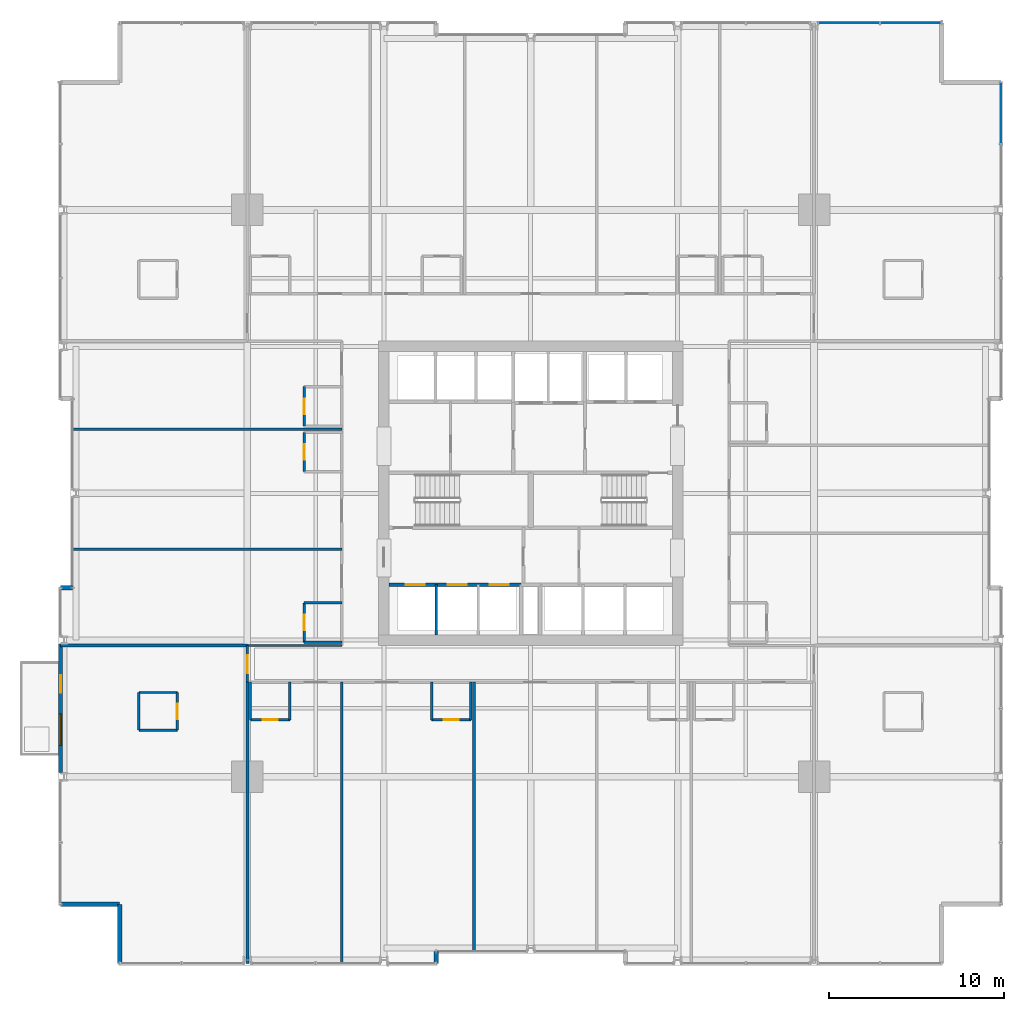
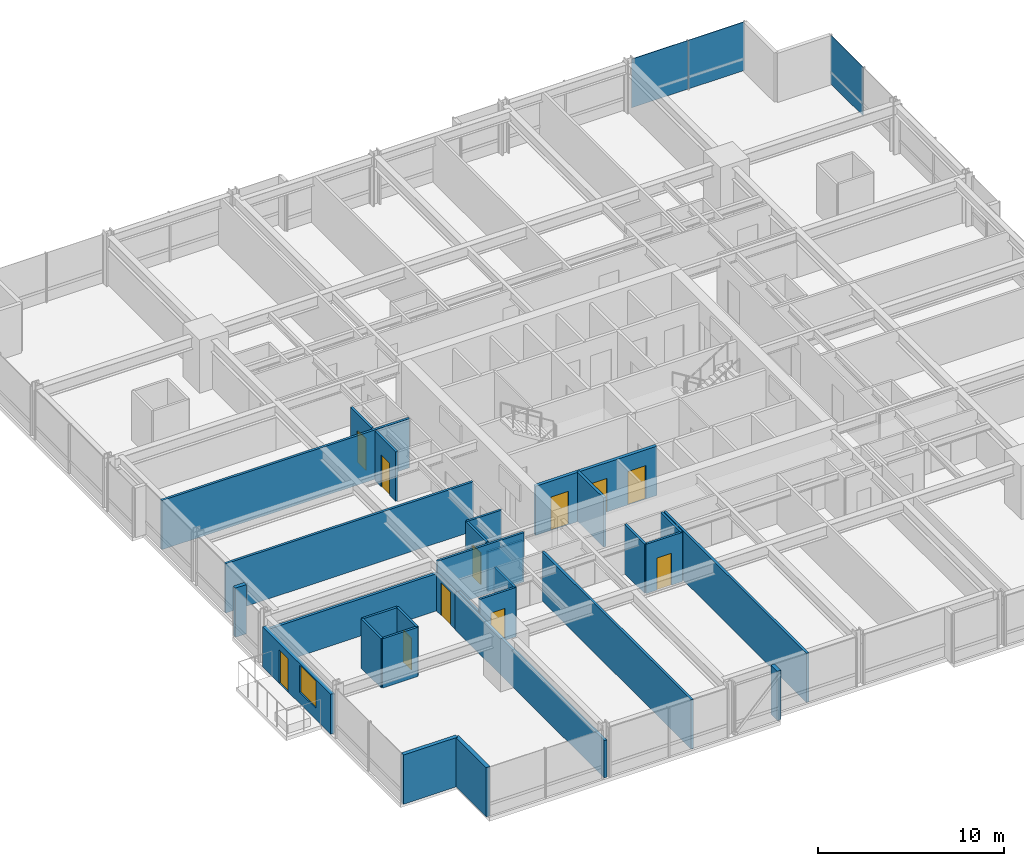
# One storey, part 30 of 38: 30 walls, 11 doors, 3 plates, 1 window, 12 openings, 2 elements without a shape of their own.
"""IFC4 building model written with IfcOpenShell, lengths in metres."""

from ifc_helpers import new_model, si_unit, direction, frame, frame_2d, origin, origin_2d, place, context, subcontext, project, spatial, rectangle, extrude, material, layer, layer_set, type_object, element, fill, aggregate, save


model = new_model("IFC4")

# Units and contexts
model_context = context("Model", 3, precision=1e-05, world=origin(), true_north=direction((0.0, 1.0)))
body_context = subcontext(model_context, "Body", "Model", "MODEL_VIEW")
ifc_project = project(units=[si_unit("LENGTHUNIT", "METRE"), si_unit("AREAUNIT", "SQUARE_METRE"), si_unit("VOLUMEUNIT", "CUBIC_METRE"), si_unit("PLANEANGLEUNIT", "RADIAN"), si_unit("MASSUNIT", "GRAM", prefix="KILO")], contexts=[model_context])

# Site, building, storey
site_placement = place(None, origin())
site = spatial("IfcSite", under=ifc_project, at=site_placement, CompositionType="ELEMENT")
building_placement = place(site_placement, origin())
building = spatial("IfcBuilding", under=site, at=building_placement, Name="Drelvath Grand Hotel", CompositionType="ELEMENT")
storey_placement = place(building_placement, frame((0.0, 0.0, 61.199951171875)))
storey = spatial("IfcBuildingStorey", under=building, at=storey_placement, Name="L14", CompositionType="ELEMENT", Elevation=61.199951171875)

# Curtain wall, plate
ifc_material_1 = material(Name="Warm Bronze Anodised Aluminium Frame", Category="aluminium")
ifc_layer_1 = layer(ifc_material_1, 0.199951171875)
ifc_layer_set_1 = layer_set([ifc_layer_1], Name="Warm Bronze Anodised Aluminium Frame")
curtain_wall_type = type_object("IfcCurtainWallType", Name="Stick Curtain Wall CW-02 Warm Bronze Low-Rise", PredefinedType="NOTDEFINED", material=ifc_layer_set_1)
curtain_wall_1_placement = place(storey_placement, origin())
curtain_wall_1 = element("IfcCurtainWall", 1, at=curtain_wall_1_placement, inside=storey, type_object=curtain_wall_type, Name="L14 CW-02 Curtain Wall CW02-L14-EN3", PredefinedType="NOTDEFINED")
ifc_material_2 = material(Name="Low-E Triple Silver Vision Glass Bronze Tint", Category="glass")
ifc_layer_2 = layer(ifc_material_2, 0.035888671875)
ifc_layer_set_2 = layer_set([ifc_layer_2], Name="Low-E Triple Silver Vision Glass Bronze Tint")
plate_type = type_object("IfcPlateType", Name="Curtain Wall Vision Panel CW-02 36mm", PredefinedType="CURTAIN_PANEL", material=ifc_layer_set_2)
plate_1_placement = place(storey_placement, frame((26.8798828125, 48.732421875, 0.02001953125), z_axis=(0.0, 0.0, 1.0), x_axis=(0.0, -1.0, 0.0)))
plate_1 = element("IfcPlate", 2, at=plate_1_placement, type_object=plate_type, Name="CW02-L14-EN3 Glazed Panel 1", PredefinedType="CURTAIN_PANEL", context=body_context, shape_type="SweptSolid", body=[
    extrude(rectangle(XDim=3.49560546875, YDim=0.035888671875, at=origin_2d()), origin(), (0.0, 0.0, 1.0), 3.199951171875),
])
aggregate(curtain_wall_1, [plate_1])

# Curtain wall, plates
curtain_wall_2_placement = place(storey_placement, origin())
curtain_wall_2 = element("IfcCurtainWall", 3, at=curtain_wall_2_placement, inside=storey, type_object=curtain_wall_type, Name="L14 CW-02 Curtain Wall CW02-L14-NE3", PredefinedType="NOTDEFINED")
plate_2_placement = place(storey_placement, frame((18.19677734375, 53.8798828125, 0.02001953125), z_axis=(0.0, 0.0, 1.0), x_axis=(1.0, 0.0, 0.0)))
plate_2 = element("IfcPlate", 4, at=plate_2_placement, type_object=plate_type, Name="CW02-L14-NE3 Glazed Panel 1", PredefinedType="CURTAIN_PANEL", context=body_context, shape_type="SweptSolid", body=[
    extrude(rectangle(XDim=3.49560546875, YDim=0.035888671875, at=origin_2d()), origin(), (0.0, 0.0, 1.0), 3.199951171875),
])
plate_3_placement = place(storey_placement, frame((21.732421875, 53.8798828125, 0.02001953125), z_axis=(0.0, 0.0, 1.0), x_axis=(1.0, 0.0, 0.0)))
plate_3 = element("IfcPlate", 5, at=plate_3_placement, type_object=plate_type, Name="CW02-L14-NE3 Glazed Panel 2", PredefinedType="CURTAIN_PANEL", context=body_context, shape_type="SweptSolid", body=[
    extrude(rectangle(XDim=3.49560546875, YDim=0.035888671875, at=origin_2d()), origin(), (0.0, 0.0, 1.0), 3.199951171875),
])
aggregate(curtain_wall_2, [plate_2, plate_3])

# Wall, openings, doors
ifc_material_3 = material(Name="Concrete C40/50", Category="concrete")
ifc_layer_3 = layer(ifc_material_3, 0.199951171875)
ifc_layer_set_3 = layer_set([ifc_layer_3], Name="Concrete C40/50")
wall_type_1 = type_object("IfcWallType", Name="Core Hoistway Fire Wall 200", PredefinedType="SOLIDWALL", material=ifc_layer_set_3)
wall_1_placement = place(storey_placement, frame((-0.550048828125, 21.780029296875, 0.0), z_axis=(0.0, 0.0, 1.0), x_axis=(-1.0, 0.0, 0.0)))
wall_1 = element("IfcWall", 6, at=wall_1_placement, inside=storey, type_object=wall_type_1, Name="L14 Bank 1 Hoistway Wall", PredefinedType="SOLIDWALL", context=body_context, shape_type="SweptSolid", body=[
    extrude(rectangle(XDim=7.550048828125, YDim=0.199951171875, at=frame_2d((3.77490234375, 0.0))), origin(), (0.0, 0.0, 1.0), 3.239990234375),
])
opening_1_placement = place(wall_1_placement, frame((5.5, 0.0, 0.0)))
opening_1 = element("IfcOpeningElement", 7, at=opening_1_placement, cuts=wall_1, Name="Opening LD-PE-1", PredefinedType="OPENING", context=body_context, shape_type="SweptSolid", body=[
    extrude(rectangle(XDim=1.10009765625, YDim=2.199951171875, at=frame_2d((0.550048828125, 1.10009765625))), frame((0.0, 0.10986328125, 0.0), z_axis=(0.0, -1.0, 0.0), x_axis=(1.0, 0.0, 0.0)), (0.0, 0.0, 1.0), 0.219970703125),
])
opening_2_placement = place(wall_1_placement, frame((3.10009765625, 0.0, 0.0)))
opening_2 = element("IfcOpeningElement", 8, at=opening_2_placement, cuts=wall_1, Name="Opening LD-PE-2", PredefinedType="OPENING", context=body_context, shape_type="SweptSolid", body=[
    extrude(rectangle(XDim=1.10009765625, YDim=2.199951171875, at=frame_2d((0.550048828125, 1.10009765625))), frame((0.0, 0.10986328125, 0.0), z_axis=(0.0, -1.0, 0.0), x_axis=(1.0, 0.0, 0.0)), (0.0, 0.0, 1.0), 0.219970703125),
])
opening_3_placement = place(wall_1_placement, frame((0.699951171875, 0.0, 0.0)))
opening_3 = element("IfcOpeningElement", 9, at=opening_3_placement, cuts=wall_1, Name="Opening LD-PE-3", PredefinedType="OPENING", context=body_context, shape_type="SweptSolid", body=[
    extrude(rectangle(XDim=1.10009765625, YDim=2.199951171875, at=frame_2d((0.550048828125, 1.10009765625))), frame((0.0, 0.10986328125, 0.0), z_axis=(0.0, -1.0, 0.0), x_axis=(1.0, 0.0, 0.0)), (0.0, 0.0, 1.0), 0.219970703125),
])
ifc_material_4 = material(Name="Stainless Steel S355", Category="steel")
door_type_1 = type_object("IfcDoorType", Name="Passenger Lift Sliding Landing Door 1100x2200", OperationType="NOTDEFINED", PredefinedType="DOOR", material=ifc_material_4)
door_1_placement = place(opening_1_placement, origin())
door_1 = element("IfcDoor", 10, at=door_1_placement, inside=storey, type_object=door_type_1, Name="L14 Lift PE-1 Landing Door", OperationType="SLIDING_TO_LEFT", OverallHeight=2.199951171875, OverallWidth=1.10009765625, PredefinedType="DOOR", context=body_context, shape_type="SweptSolid", body=[
    extrude(rectangle(XDim=1.10009765625, YDim=2.199951171875, at=frame_2d((0.550048828125, 1.10009765625))), frame((0.0, 0.02490234375, 0.0), z_axis=(0.0, -1.0, 0.0), x_axis=(1.0, 0.0, 0.0)), (0.0, 0.0, 1.0), 0.050048828125),
])
fill(opening_1, door_1)
door_2_placement = place(opening_2_placement, origin())
door_2 = element("IfcDoor", 11, at=door_2_placement, inside=storey, type_object=door_type_1, Name="L14 Lift PE-2 Landing Door", OperationType="SLIDING_TO_LEFT", OverallHeight=2.199951171875, OverallWidth=1.10009765625, PredefinedType="DOOR", context=body_context, shape_type="SweptSolid", body=[
    extrude(rectangle(XDim=1.10009765625, YDim=2.199951171875, at=frame_2d((0.550048828125, 1.10009765625))), frame((0.0, 0.02490234375, 0.0), z_axis=(0.0, -1.0, 0.0), x_axis=(1.0, 0.0, 0.0)), (0.0, 0.0, 1.0), 0.050048828125),
])
fill(opening_2, door_2)
door_3_placement = place(opening_3_placement, origin())
door_3 = element("IfcDoor", 12, at=door_3_placement, inside=storey, type_object=door_type_1, Name="L14 Lift PE-3 Landing Door", OperationType="SLIDING_TO_LEFT", OverallHeight=2.199951171875, OverallWidth=1.10009765625, PredefinedType="DOOR", context=body_context, shape_type="SweptSolid", body=[
    extrude(rectangle(XDim=1.10009765625, YDim=2.199951171875, at=frame_2d((0.550048828125, 1.10009765625))), frame((0.0, 0.02490234375, 0.0), z_axis=(0.0, -1.0, 0.0), x_axis=(1.0, 0.0, 0.0)), (0.0, 0.0, 1.0), 0.050048828125),
])
fill(opening_3, door_3)

# Walls
ifc_material_5 = material(Name="Gypsum Fireboard Partition")
ifc_layer_4 = layer(ifc_material_5, 0.1650390625)
ifc_layer_set_4 = layer_set([ifc_layer_4], Name="Gypsum Fireboard Partition")
wall_type_2 = type_object("IfcWallType", Name="Core Shaft Partition 165", PredefinedType="PARTITIONING", material=ifc_layer_set_4)
wall_2_placement = place(storey_placement, frame((-5.39990234375, 18.89990234375, 0.0), z_axis=(0.0, 0.0, 1.0), x_axis=(0.0, 1.0, 0.0)))
element("IfcWall", 13, at=wall_2_placement, inside=storey, type_object=wall_type_2, Name="L14 Lift PE-1/2 Divider", PredefinedType="PARTITIONING", context=body_context, shape_type="SweptSolid", body=[
    extrude(rectangle(XDim=2.880126953125, YDim=0.1650390625, at=frame_2d((1.43994140625, 0.0))), origin(), (0.0, 0.0, 1.0), 3.239990234375),
])
ifc_layer_5 = layer(ifc_material_5, 0.135009765625)
ifc_layer_set_5 = layer_set([ifc_layer_5], Name="Gypsum Fireboard Partition")
wall_type_3 = type_object("IfcWallType", Name="Corridor Fire Barrier Wall 135", PredefinedType="PARTITIONING", material=ifc_layer_set_5)
wall_3_placement = place(storey_placement, frame((-16.199951171875, 18.300048828125, 0.0), z_axis=(0.0, 0.0, 1.0), x_axis=(1.0, 0.0, 0.0)))
element("IfcWall", 14, at=wall_3_placement, inside=storey, type_object=wall_type_3, Name="L14 SW Spur Inner Wall", PredefinedType="PARTITIONING", context=body_context, shape_type="SweptSolid", body=[
    extrude(rectangle(XDim=5.39990234375, YDim=0.135009765625, at=frame_2d((2.699951171875, 0.0))), origin(), (0.0, 0.0, 1.0), 3.239990234375),
])

# Wall, opening, door
wall_4_placement = place(storey_placement, frame((-16.199951171875, 16.199951171875, 0.0), z_axis=(0.0, 0.0, 1.0), x_axis=(0.0, 1.0, 0.0)))
wall_4 = element("IfcWall", 15, at=wall_4_placement, inside=storey, type_object=wall_type_3, Name="L14 South Corridor West End", PredefinedType="PARTITIONING", context=body_context, shape_type="SweptSolid", body=[
    extrude(rectangle(XDim=2.10009765625, YDim=0.135009765625, at=frame_2d((1.050048828125, 0.0))), origin(), (0.0, 0.0, 1.0), 2.451904296875),
])
opening_4_placement = place(wall_4_placement, frame((0.52001953125, 0.0, 0.0)))
opening_4 = element("IfcOpeningElement", 16, at=opening_4_placement, cuts=wall_4, Name="Opening D-T1G3-018", PredefinedType="OPENING", context=body_context, shape_type="SweptSolid", body=[
    extrude(rectangle(XDim=1.02001953125, YDim=2.14990234375, at=frame_2d((0.510009765625, 1.074951171875))), frame((0.0, 0.077392578125, 0.0), z_axis=(0.0, -1.0, 0.0), x_axis=(1.0, 0.0, 0.0)), (0.0, 0.0, 1.0), 0.155029296875),
])
ifc_material_6 = material(Name="Hardwood Walnut Timber", Category="wood")
door_type_2 = type_object("IfcDoorType", Name="Amenity Meeting Fire Door 1020x2150", OperationType="NOTDEFINED", PredefinedType="DOOR", material=ifc_material_6)
door_4_placement = place(opening_4_placement, origin())
door_4 = element("IfcDoor", 17, at=door_4_placement, inside=storey, type_object=door_type_2, Name="L14 Corner Suite Entry Door", OperationType="SINGLE_SWING_LEFT", OverallHeight=2.14990234375, OverallWidth=1.02001953125, PredefinedType="DOOR", context=body_context, shape_type="SweptSolid", body=[
    extrude(rectangle(XDim=1.02001953125, YDim=2.14990234375, at=frame_2d((0.510009765625, 1.074951171875))), frame((0.0, 0.02490234375, 0.0), z_axis=(0.0, -1.0, 0.0), x_axis=(1.0, 0.0, 0.0)), (0.0, 0.0, 1.0), 0.050048828125),
])
fill(opening_4, door_4)

# Walls
ifc_material_7 = material(Name="Moisture-Resistant Gypsum Board")
ifc_layer_6 = layer(ifc_material_7, 0.139892578125)
ifc_layer_set_6 = layer_set([ifc_layer_6], Name="Moisture-Resistant Gypsum Board")
wall_type_4 = type_object("IfcWallType", Name="En-Suite Plumbing Wall 140", PredefinedType="PLUMBINGWALL", material=ifc_layer_set_6)
for number, where, z_axis, x_axis, name in (
    (18, (-22.39990234375, 13.4599609375, 0.0), (0.0, 0.0, 1.0), (1.0, 0.0, 0.0), "L14 Corner En-Suite South"),
    (19, (-22.39990234375, 15.610107421875, 0.0), (0.0, 0.0, 1.0), (1.0, 0.0, 0.0), "L14 Corner En-Suite North"),
):
    element("IfcWall", number, at=place(storey_placement, frame(where, z_axis=z_axis, x_axis=x_axis)), inside=storey, type_object=wall_type_4, Name=name, PredefinedType="PLUMBINGWALL", context=body_context, shape_type="SweptSolid", body=[
        extrude(rectangle(XDim=2.199951171875, YDim=0.139892578125, at=frame_2d((1.10009765625, 0.0))), origin(), (0.0, 0.0, 1.0), 3.239990234375),
    ])
wall_5_placement = place(storey_placement, frame((-22.39990234375, 13.4599609375, 0.0), z_axis=(0.0, 0.0, 1.0), x_axis=(0.0, 1.0, 0.0)))
element("IfcWall", 20, at=wall_5_placement, inside=storey, type_object=wall_type_4, Name="L14 Corner En-Suite West", PredefinedType="PLUMBINGWALL", context=body_context, shape_type="SweptSolid", body=[
    extrude(rectangle(XDim=2.150146484375, YDim=0.139892578125, at=frame_2d((1.0751953125, 0.0))), origin(), (0.0, 0.0, 1.0), 3.239990234375),
])

# Wall, opening, door
wall_6_placement = place(storey_placement, frame((-20.199951171875, 13.4599609375, 0.0), z_axis=(0.0, 0.0, 1.0), x_axis=(0.0, 1.0, 0.0)))
wall_6 = element("IfcWall", 21, at=wall_6_placement, inside=storey, type_object=wall_type_4, Name="L14 Corner En-Suite East", PredefinedType="PLUMBINGWALL", context=body_context, shape_type="SweptSolid", body=[
    extrude(rectangle(XDim=2.150146484375, YDim=0.139892578125, at=frame_2d((1.0751953125, 0.0))), origin(), (0.0, 0.0, 1.0), 3.239990234375),
])
opening_5_placement = place(wall_6_placement, frame((0.6201171875, 0.0, 0.0)))
opening_5 = element("IfcOpeningElement", 22, at=opening_5_placement, cuts=wall_6, Name="Opening D-T1G3-017", PredefinedType="OPENING", context=body_context, shape_type="SweptSolid", body=[
    extrude(rectangle(XDim=0.8798828125, YDim=2.10009765625, at=frame_2d((0.43994140625, 1.050048828125))), frame((0.0, 0.079833984375, 0.0), z_axis=(0.0, -1.0, 0.0), x_axis=(1.0, 0.0, 0.0)), (0.0, 0.0, 1.0), 0.159912109375),
])
door_type_3 = type_object("IfcDoorType", Name="En-Suite Bathroom Door 880x2100", OperationType="NOTDEFINED", PredefinedType="DOOR", material=ifc_material_6)
door_5_placement = place(opening_5_placement, origin())
door_5 = element("IfcDoor", 23, at=door_5_placement, inside=storey, type_object=door_type_3, Name="L14 Corner En-Suite Door", OperationType="SINGLE_SWING_RIGHT", OverallHeight=2.10009765625, OverallWidth=0.8798828125, PredefinedType="DOOR", context=body_context, shape_type="SweptSolid", body=[
    extrude(rectangle(XDim=0.8798828125, YDim=2.10009765625, at=frame_2d((0.43994140625, 1.050048828125))), frame((0.0, 0.02490234375, 0.0), z_axis=(0.0, -1.0, 0.0), x_axis=(1.0, 0.0, 0.0)), (0.0, 0.0, 1.0), 0.050048828125),
])
fill(opening_5, door_5)

# Walls
wall_7_placement = place(storey_placement, frame((-16.02001953125, 16.199951171875, 0.0), z_axis=(0.0, 0.0, 1.0), x_axis=(0.0, -1.0, 0.0)))
element("IfcWall", 24, at=wall_7_placement, inside=storey, type_object=wall_type_4, Name="L14 En-Suite Left Wall", PredefinedType="PLUMBINGWALL", context=body_context, shape_type="SweptSolid", body=[
    extrude(rectangle(XDim=2.14990234375, YDim=0.139892578125, at=frame_2d((1.074951171875, 0.0))), origin(), (0.0, 0.0, 1.0), 2.451904296875),
])
wall_8_placement = place(storey_placement, frame((-13.77001953125, 16.199951171875, 0.0), z_axis=(0.0, 0.0, 1.0), x_axis=(0.0, -1.0, 0.0)))
element("IfcWall", 25, at=wall_8_placement, inside=storey, type_object=wall_type_4, Name="L14 En-Suite Right Wall", PredefinedType="PLUMBINGWALL", context=body_context, shape_type="SweptSolid", body=[
    extrude(rectangle(XDim=2.14990234375, YDim=0.139892578125, at=frame_2d((1.074951171875, 0.0))), origin(), (0.0, 0.0, 1.0), 3.239990234375),
])

# Wall, opening, door
wall_9_placement = place(storey_placement, frame((-16.02001953125, 14.050048828125, 0.0), z_axis=(0.0, 0.0, 1.0), x_axis=(1.0, 0.0, 0.0)))
wall_9 = element("IfcWall", 26, at=wall_9_placement, inside=storey, type_object=wall_type_4, Name="L14 En-Suite Front Wall", PredefinedType="PLUMBINGWALL", context=body_context, shape_type="SweptSolid", body=[
    extrude(rectangle(XDim=2.25, YDim=0.139892578125, at=frame_2d((1.125, 0.0))), origin(), (0.0, 0.0, 1.0), 3.239990234375),
])
opening_6_placement = place(wall_9_placement, frame((0.68505859375, 0.0, 0.0)))
opening_6 = element("IfcOpeningElement", 27, at=opening_6_placement, cuts=wall_9, Name="Opening D-T1G3-025", PredefinedType="OPENING", context=body_context, shape_type="SweptSolid", body=[
    extrude(rectangle(XDim=0.8798828125, YDim=2.10009765625, at=frame_2d((0.43994140625, 1.050048828125))), frame((0.0, 0.079833984375, 0.0), z_axis=(0.0, -1.0, 0.0), x_axis=(1.0, 0.0, 0.0)), (0.0, 0.0, 1.0), 0.159912109375),
])
door_6_placement = place(opening_6_placement, origin())
door_6 = element("IfcDoor", 28, at=door_6_placement, inside=storey, type_object=door_type_3, Name="L14 En-Suite Bathroom Door", OperationType="SINGLE_SWING_RIGHT", OverallHeight=2.10009765625, OverallWidth=0.8798828125, PredefinedType="DOOR", context=body_context, shape_type="SweptSolid", body=[
    extrude(rectangle(XDim=0.8798828125, YDim=2.10009765625, at=frame_2d((0.43994140625, 1.050048828125))), frame((0.0, 0.02490234375, 0.0), z_axis=(0.0, -1.0, 0.0), x_axis=(1.0, 0.0, 0.0)), (0.0, 0.0, 1.0), 0.050048828125),
])
fill(opening_6, door_6)

# Walls
for number, where, z_axis, x_axis, name in (
    (29, (-5.669921875, 16.199951171875, 0.0), (0.0, 0.0, 1.0), (0.0, -1.0, 0.0), "L14 En-Suite Left Wall"),
    (30, (-3.419921875, 16.199951171875, 0.0), (0.0, 0.0, 1.0), (0.0, -1.0, 0.0), "L14 En-Suite Right Wall"),
):
    element("IfcWall", number, at=place(storey_placement, frame(where, z_axis=z_axis, x_axis=x_axis)), inside=storey, type_object=wall_type_4, Name=name, PredefinedType="PLUMBINGWALL", context=body_context, shape_type="SweptSolid", body=[
        extrude(rectangle(XDim=2.14990234375, YDim=0.139892578125, at=frame_2d((1.074951171875, 0.0))), origin(), (0.0, 0.0, 1.0), 3.239990234375),
    ])

# Wall, opening, door
wall_10_placement = place(storey_placement, frame((-5.669921875, 14.050048828125, 0.0), z_axis=(0.0, 0.0, 1.0), x_axis=(1.0, 0.0, 0.0)))
wall_10 = element("IfcWall", 31, at=wall_10_placement, inside=storey, type_object=wall_type_4, Name="L14 En-Suite Front Wall", PredefinedType="PLUMBINGWALL", context=body_context, shape_type="SweptSolid", body=[
    extrude(rectangle(XDim=2.25, YDim=0.139892578125, at=frame_2d((1.125, 0.0))), origin(), (0.0, 0.0, 1.0), 3.239990234375),
])
opening_7_placement = place(wall_10_placement, frame((0.68505859375, 0.0, 0.0)))
opening_7 = element("IfcOpeningElement", 32, at=opening_7_placement, cuts=wall_10, Name="Opening D-T1G3-027", PredefinedType="OPENING", context=body_context, shape_type="SweptSolid", body=[
    extrude(rectangle(XDim=0.8798828125, YDim=2.10009765625, at=frame_2d((0.43994140625, 1.050048828125))), frame((0.0, 0.079833984375, 0.0), z_axis=(0.0, -1.0, 0.0), x_axis=(1.0, 0.0, 0.0)), (0.0, 0.0, 1.0), 0.159912109375),
])
door_7_placement = place(opening_7_placement, origin())
door_7 = element("IfcDoor", 33, at=door_7_placement, inside=storey, type_object=door_type_3, Name="L14 En-Suite Bathroom Door", OperationType="SINGLE_SWING_RIGHT", OverallHeight=2.10009765625, OverallWidth=0.8798828125, PredefinedType="DOOR", context=body_context, shape_type="SweptSolid", body=[
    extrude(rectangle(XDim=0.8798828125, YDim=2.10009765625, at=frame_2d((0.43994140625, 1.050048828125))), frame((0.0, 0.02490234375, 0.0), z_axis=(0.0, -1.0, 0.0), x_axis=(1.0, 0.0, 0.0)), (0.0, 0.0, 1.0), 0.050048828125),
])
fill(opening_7, door_7)

# Walls
wall_11_placement = place(storey_placement, frame((-10.800048828125, 18.47998046875, 0.0), z_axis=(0.0, 0.0, 1.0), x_axis=(-1.0, 0.0, 0.0)))
element("IfcWall", 34, at=wall_11_placement, inside=storey, type_object=wall_type_4, Name="L14 En-Suite Left Wall", PredefinedType="PLUMBINGWALL", context=body_context, shape_type="SweptSolid", body=[
    extrude(rectangle(XDim=2.14990234375, YDim=0.139892578125, at=frame_2d((1.074951171875, 0.0))), origin(), (0.0, 0.0, 1.0), 2.617431640625),
])
wall_12_placement = place(storey_placement, frame((-10.800048828125, 20.72998046875, 0.0), z_axis=(0.0, 0.0, 1.0), x_axis=(-1.0, 0.0, 0.0)))
element("IfcWall", 35, at=wall_12_placement, inside=storey, type_object=wall_type_4, Name="L14 En-Suite Right Wall", PredefinedType="PLUMBINGWALL", context=body_context, shape_type="SweptSolid", body=[
    extrude(rectangle(XDim=2.14990234375, YDim=0.139892578125, at=frame_2d((1.074951171875, 0.0))), origin(), (0.0, 0.0, 1.0), 3.239990234375),
])

# Wall, opening, door
wall_13_placement = place(storey_placement, frame((-12.949951171875, 18.47998046875, 0.0), z_axis=(0.0, 0.0, 1.0), x_axis=(0.0, 1.0, 0.0)))
wall_13 = element("IfcWall", 36, at=wall_13_placement, inside=storey, type_object=wall_type_4, Name="L14 En-Suite Front Wall", PredefinedType="PLUMBINGWALL", context=body_context, shape_type="SweptSolid", body=[
    extrude(rectangle(XDim=2.25, YDim=0.139892578125, at=frame_2d((1.125, 0.0))), origin(), (0.0, 0.0, 1.0), 3.239990234375),
])
opening_8_placement = place(wall_13_placement, frame((0.68505859375, 0.0, 0.0)))
opening_8 = element("IfcOpeningElement", 37, at=opening_8_placement, cuts=wall_13, Name="Opening D-T1G3-043", PredefinedType="OPENING", context=body_context, shape_type="SweptSolid", body=[
    extrude(rectangle(XDim=0.8798828125, YDim=2.10009765625, at=frame_2d((0.43994140625, 1.050048828125))), frame((0.0, 0.079833984375, 0.0), z_axis=(0.0, -1.0, 0.0), x_axis=(1.0, 0.0, 0.0)), (0.0, 0.0, 1.0), 0.159912109375),
])
door_8_placement = place(opening_8_placement, origin())
door_8 = element("IfcDoor", 38, at=door_8_placement, inside=storey, type_object=door_type_3, Name="L14 En-Suite Bathroom Door", OperationType="SINGLE_SWING_RIGHT", OverallHeight=2.10009765625, OverallWidth=0.8798828125, PredefinedType="DOOR", context=body_context, shape_type="SweptSolid", body=[
    extrude(rectangle(XDim=0.8798828125, YDim=2.10009765625, at=frame_2d((0.43994140625, 1.050048828125))), frame((0.0, 0.02490234375, 0.0), z_axis=(0.0, -1.0, 0.0), x_axis=(1.0, 0.0, 0.0)), (0.0, 0.0, 1.0), 0.050048828125),
])
fill(opening_8, door_8)

wall_14_placement = place(storey_placement, frame((-12.949951171875, 28.233154296875, 0.0), z_axis=(0.0, 0.0, 1.0), x_axis=(0.0, 1.0, 0.0)))
wall_14 = element("IfcWall", 39, at=wall_14_placement, inside=storey, type_object=wall_type_4, Name="L14 En-Suite Front Wall", PredefinedType="PLUMBINGWALL", context=body_context, shape_type="SweptSolid", body=[
    extrude(rectangle(XDim=2.25, YDim=0.139892578125, at=frame_2d((1.125, 0.0))), origin(), (0.0, 0.0, 1.0), 3.239990234375),
])
opening_9_placement = place(wall_14_placement, frame((0.68505859375, 0.0, 0.0)))
opening_9 = element("IfcOpeningElement", 40, at=opening_9_placement, cuts=wall_14, Name="Opening D-T1G3-045", PredefinedType="OPENING", context=body_context, shape_type="SweptSolid", body=[
    extrude(rectangle(XDim=0.8798828125, YDim=2.10009765625, at=frame_2d((0.43994140625, 1.050048828125))), frame((0.0, 0.079833984375, 0.0), z_axis=(0.0, -1.0, 0.0), x_axis=(1.0, 0.0, 0.0)), (0.0, 0.0, 1.0), 0.159912109375),
])
door_9_placement = place(opening_9_placement, origin())
door_9 = element("IfcDoor", 41, at=door_9_placement, inside=storey, type_object=door_type_3, Name="L14 En-Suite Bathroom Door", OperationType="SINGLE_SWING_RIGHT", OverallHeight=2.10009765625, OverallWidth=0.8798828125, PredefinedType="DOOR", context=body_context, shape_type="SweptSolid", body=[
    extrude(rectangle(XDim=0.8798828125, YDim=2.10009765625, at=frame_2d((0.43994140625, 1.050048828125))), frame((0.0, 0.02490234375, 0.0), z_axis=(0.0, -1.0, 0.0), x_axis=(1.0, 0.0, 0.0)), (0.0, 0.0, 1.0), 0.050048828125),
])
fill(opening_9, door_9)

wall_15_placement = place(storey_placement, frame((-12.949951171875, 30.84326171875, 0.0), z_axis=(0.0, 0.0, 1.0), x_axis=(0.0, 1.0, 0.0)))
wall_15 = element("IfcWall", 42, at=wall_15_placement, inside=storey, type_object=wall_type_4, Name="L14 En-Suite Front Wall", PredefinedType="PLUMBINGWALL", context=body_context, shape_type="SweptSolid", body=[
    extrude(rectangle(XDim=2.25, YDim=0.139892578125, at=frame_2d((1.125, 0.0))), origin(), (0.0, 0.0, 1.0), 3.239990234375),
])
opening_10_placement = place(wall_15_placement, frame((0.68505859375, 0.0, 0.0)))
opening_10 = element("IfcOpeningElement", 43, at=opening_10_placement, cuts=wall_15, Name="Opening D-T1G3-047", PredefinedType="OPENING", context=body_context, shape_type="SweptSolid", body=[
    extrude(rectangle(XDim=0.8798828125, YDim=2.10009765625, at=frame_2d((0.43994140625, 1.050048828125))), frame((0.0, 0.079833984375, 0.0), z_axis=(0.0, -1.0, 0.0), x_axis=(1.0, 0.0, 0.0)), (0.0, 0.0, 1.0), 0.159912109375),
])
door_10_placement = place(opening_10_placement, origin())
door_10 = element("IfcDoor", 44, at=door_10_placement, inside=storey, type_object=door_type_3, Name="L14 En-Suite Bathroom Door", OperationType="SINGLE_SWING_RIGHT", OverallHeight=2.10009765625, OverallWidth=0.8798828125, PredefinedType="DOOR", context=body_context, shape_type="SweptSolid", body=[
    extrude(rectangle(XDim=0.8798828125, YDim=2.10009765625, at=frame_2d((0.43994140625, 1.050048828125))), frame((0.0, 0.02490234375, 0.0), z_axis=(0.0, -1.0, 0.0), x_axis=(1.0, 0.0, 0.0)), (0.0, 0.0, 1.0), 0.050048828125),
])
fill(opening_10, door_10)

# Walls
ifc_material_8 = material(Name="Gypsum Acoustic Partition")
ifc_layer_7 = layer(ifc_material_8, 0.14990234375)
ifc_layer_set_7 = layer_set([ifc_layer_7], Name="Gypsum Acoustic Partition")
wall_type_5 = type_object("IfcWallType", Name="Guestroom Demising Wall 150", PredefinedType="PARTITIONING", material=ifc_layer_set_7)
wall_16_placement = place(storey_placement, frame((-10.800048828125, 0.1201171875, 0.0), z_axis=(0.0, 0.0, 1.0), x_axis=(0.0, 1.0, 0.0)))
element("IfcWall", 45, at=wall_16_placement, inside=storey, type_object=wall_type_5, Name="L14 South Demising 1", PredefinedType="PARTITIONING", context=body_context, shape_type="SweptSolid", body=[
    extrude(rectangle(XDim=16.079833984375, YDim=0.14990234375, at=frame_2d((8.0400390625, 0.0))), origin(), (0.0, 0.0, 1.0), 3.239990234375),
])
for number, where, z_axis, x_axis, name in (
    (46, (-3.239990234375, 0.800048828125, 0.0), (0.0, 0.0, 1.0), (0.0, 1.0, 0.0), "L14 South Demising 2"),
    (47, (-26.199951171875, 23.794677734375, 0.0), (0.0, 0.0, 1.0), (1.0, 0.0, 0.0), "L14 West Demising 1"),
    (48, (-26.199951171875, 30.6630859375, 0.0), (0.0, 0.0, 1.0), (1.0, 0.0, 0.0), "L14 West Demising 2"),
):
    element("IfcWall", number, at=place(storey_placement, frame(where, z_axis=z_axis, x_axis=x_axis)), inside=storey, type_object=wall_type_5, Name=name, PredefinedType="PARTITIONING", context=body_context, shape_type="SweptSolid", body=[
        extrude(rectangle(XDim=15.39990234375, YDim=0.14990234375, at=frame_2d((7.699951171875, 0.0))), origin(), (0.0, 0.0, 1.0), 3.239990234375),
    ])
ifc_layer_8 = layer(ifc_material_8, 0.1650390625)
ifc_layer_set_8 = layer_set([ifc_layer_8], Name="Gypsum Acoustic Partition")
wall_type_6 = type_object("IfcWallType", Name="Suite Demising Wall 165", PredefinedType="PARTITIONING", material=ifc_layer_set_8)
wall_17_placement = place(storey_placement, frame((-16.199951171875, 0.1201171875, 0.0), z_axis=(0.0, 0.0, 1.0), x_axis=(0.0, 1.0, 0.0)))
element("IfcWall", 49, at=wall_17_placement, inside=storey, type_object=wall_type_6, Name="L14 SW Wing Boundary Wall", PredefinedType="PARTITIONING", context=body_context, shape_type="SweptSolid", body=[
    extrude(rectangle(XDim=16.079833984375, YDim=0.1650390625, at=frame_2d((8.0400390625, 0.0))), origin(), (0.0, 0.0, 1.0), 2.451904296875),
])
wall_18_placement = place(storey_placement, frame((-26.8798828125, 18.300048828125, 0.0), z_axis=(0.0, 0.0, 1.0), x_axis=(1.0, 0.0, 0.0)))
element("IfcWall", 50, at=wall_18_placement, inside=storey, type_object=wall_type_6, Name="L14 SW Corner North Wall", PredefinedType="PARTITIONING", context=body_context, shape_type="SweptSolid", body=[
    extrude(rectangle(XDim=10.679931640625, YDim=0.1650390625, at=frame_2d((5.33984375, 0.0))), origin(), (0.0, 0.0, 1.0), 2.451904296875),
])

# Wall, openings, window, door
ifc_material_9 = material(Name="Pale-Metal Insulated Aluminium Spandrel Assembly", Category="aluminium")
ifc_layer_9 = layer(ifc_material_9, 0.239990234375)
ifc_layer_set_9 = layer_set([ifc_layer_9], Name="Pale-Metal Insulated Aluminium Spandrel Assembly")
wall_type_7 = type_object("IfcWallType", Name="Tower Insulated Metal Spandrel Closure Wall 240", PredefinedType="STANDARD", material=ifc_layer_set_9)
wall_19_placement = place(storey_placement, frame((-26.8798828125, 11.029052734375, 0.0), z_axis=(0.0, 0.0, 1.0), x_axis=(0.0, 1.0, 0.0)))
wall_19 = element("IfcWall", 51, at=wall_19_placement, inside=storey, type_object=wall_type_7, Name="L14 Exterior Terrace Door Bay Wall WS2", PredefinedType="STANDARD", context=body_context, shape_type="SweptSolid", body=[
    extrude(rectangle(XDim=7.341796875, YDim=0.239990234375, at=frame_2d((3.6708984375, 0.0))), origin(), (0.0, 0.0, 1.0), 2.629150390625),
])
opening_11_placement = place(wall_19_placement, frame((4.57080078125, 0.0, 0.0)))
opening_11 = element("IfcOpeningElement", 52, at=opening_11_placement, cuts=wall_19, Name="Opening TD-1000", PredefinedType="OPENING", context=body_context, shape_type="SweptSolid", body=[
    extrude(rectangle(XDim=1.0, YDim=2.199951171875, at=frame_2d((0.5, 1.10009765625))), frame((0.0, 0.1298828125, 0.0), z_axis=(0.0, -1.0, 0.0), x_axis=(1.0, 0.0, 0.0)), (0.0, 0.0, 1.0), 0.260009765625),
])
opening_12_placement = place(wall_19_placement, frame((1.55908203125, 0.0, 0.75)))
opening_12 = element("IfcOpeningElement", 53, at=opening_12_placement, cuts=wall_19, Name="Opening W-02", PredefinedType="OPENING", context=body_context, shape_type="SweptSolid", body=[
    extrude(rectangle(XDim=1.800048828125, YDim=1.779052734375, at=frame_2d((0.89990234375, 0.8896484375))), frame((0.0, 0.1298828125, 0.0), z_axis=(0.0, -1.0, 0.0), x_axis=(1.0, 0.0, 0.0)), (0.0, 0.0, 1.0), 0.260009765625),
])
ifc_material_10 = material(Name="Bronze Anodised Low-E Triple Glazing", Category="glass")
window_type = type_object("IfcWindowType", Name="Chicago Double-Pane Podium Window 1800x2400", PartitioningType="DOUBLE_PANEL_VERTICAL", PredefinedType="WINDOW", material=ifc_material_10)
window_placement = place(opening_12_placement, origin())
window = element("IfcWindow", 54, at=window_placement, inside=storey, type_object=window_type, Name="L14 Terrace Bay Companion Window WS2", OverallHeight=1.779052734375, OverallWidth=1.800048828125, PartitioningType="SINGLE_PANEL", PredefinedType="WINDOW", context=body_context, shape_type="SweptSolid", body=[
    extrude(rectangle(XDim=1.800048828125, YDim=1.779052734375, at=frame_2d((0.89990234375, 0.8896484375))), frame((0.0, 0.030029296875, 0.0), z_axis=(0.0, -1.0, 0.0), x_axis=(1.0, 0.0, 0.0)), (0.0, 0.0, 1.0), 0.06005859375),
])
fill(opening_12, window)
ifc_material_11 = material(Name="Anodised Aluminium Thermally Broken Glazed Door", Category="aluminium")
door_type_4 = type_object("IfcDoorType", Name="Terrace and Tree Balcony Glazed Door 1000x2200", OperationType="NOTDEFINED", PredefinedType="DOOR", material=ifc_material_11)
door_11_placement = place(opening_11_placement, origin())
door_11 = element("IfcDoor", 55, at=door_11_placement, inside=storey, type_object=door_type_4, Name="L14 Tree Balcony Door DOOR-L14-TBAL-1", OperationType="SINGLE_SWING_LEFT", OverallHeight=2.199951171875, OverallWidth=1.0, PredefinedType="DOOR", context=body_context, shape_type="SweptSolid", body=[
    extrude(rectangle(XDim=1.0, YDim=2.199951171875, at=frame_2d((0.5, 1.10009765625))), frame((0.0, 0.02490234375, 0.0), z_axis=(0.0, -1.0, 0.0), x_axis=(1.0, 0.0, 0.0)), (0.0, 0.0, 1.0), 0.050048828125),
])
fill(opening_11, door_11)

# Walls
for number, where, z_axis, x_axis, name in (
    (56, (-23.5, 0.1201171875, 0.0), (0.0, 0.0, 1.0), (0.0, 1.0, 0.0), "L14 Notched Corner Return Spandrel Wall CSW1"),
    (57, (-23.5, 3.5, 0.0), (0.0, 0.0, 1.0), (-1.0, 0.0, 0.0), "L14 Notched Corner Return Spandrel Wall CSW2"),
):
    element("IfcWall", number, at=place(storey_placement, frame(where, z_axis=z_axis, x_axis=x_axis)), inside=storey, type_object=wall_type_7, Name=name, PredefinedType="STANDARD", context=body_context, shape_type="SweptSolid", body=[
        extrude(rectangle(XDim=3.3798828125, YDim=0.239990234375, at=frame_2d((1.68994140625, 0.0))), origin(), (0.0, 0.0, 1.0), 3.239990234375),
    ])
for number, where, z_axis, x_axis, name in (
    (58, (-26.8798828125, 21.60009765625, 0.0), (0.0, 0.0, 1.0), (1.0, 0.0, 0.0), "L14 Notched Corner Return Spandrel Wall RW1"),
    (59, (-5.39990234375, 0.800048828125, 0.0), (0.0, 0.0, 1.0), (0.0, -1.0, 0.0), "L14 Notched Corner Return Spandrel Wall RS2"),
):
    element("IfcWall", number, at=place(storey_placement, frame(where, z_axis=z_axis, x_axis=x_axis)), inside=storey, type_object=wall_type_7, Name=name, PredefinedType="STANDARD", context=body_context, shape_type="SweptSolid", body=[
        extrude(rectangle(XDim=0.679931640625, YDim=0.239990234375, at=frame_2d((0.33984375, 0.0))), origin(), (0.0, 0.0, 1.0), 3.239990234375),
    ])

save(model, "model.ifc")
